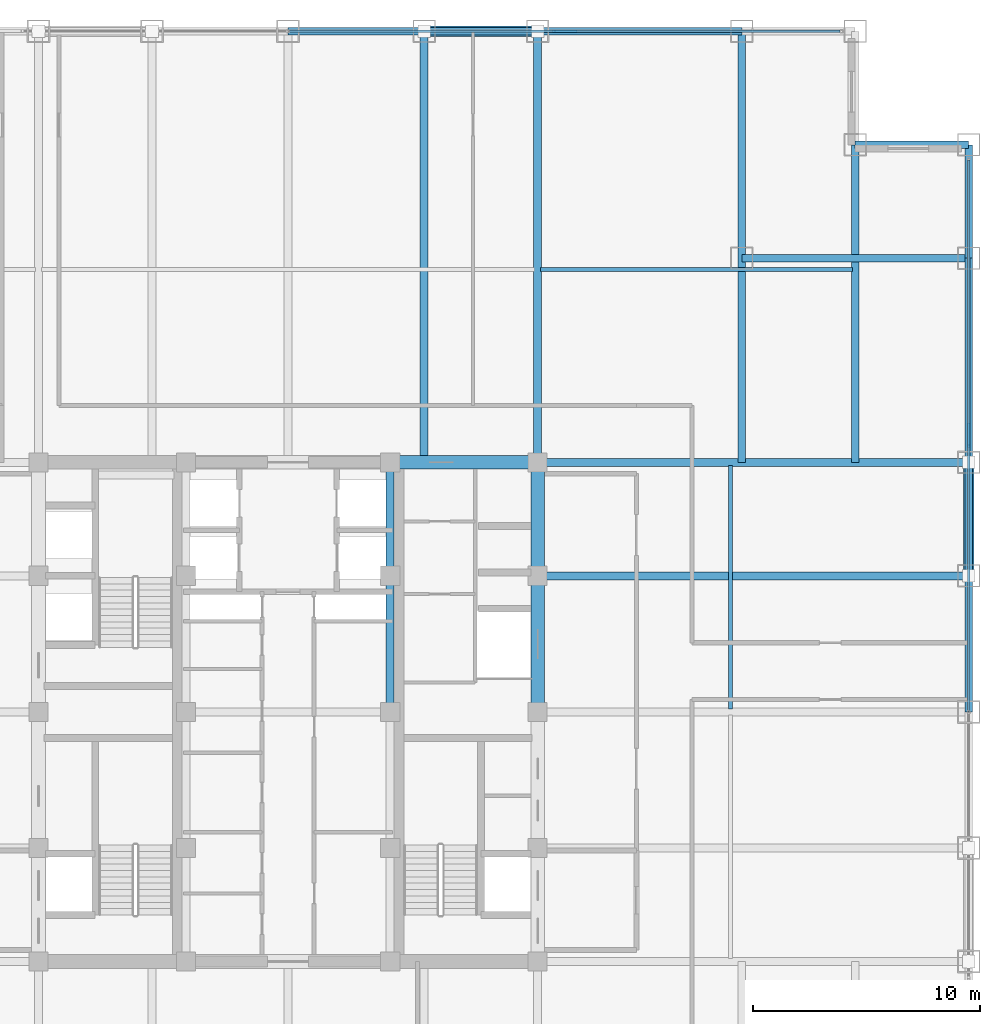
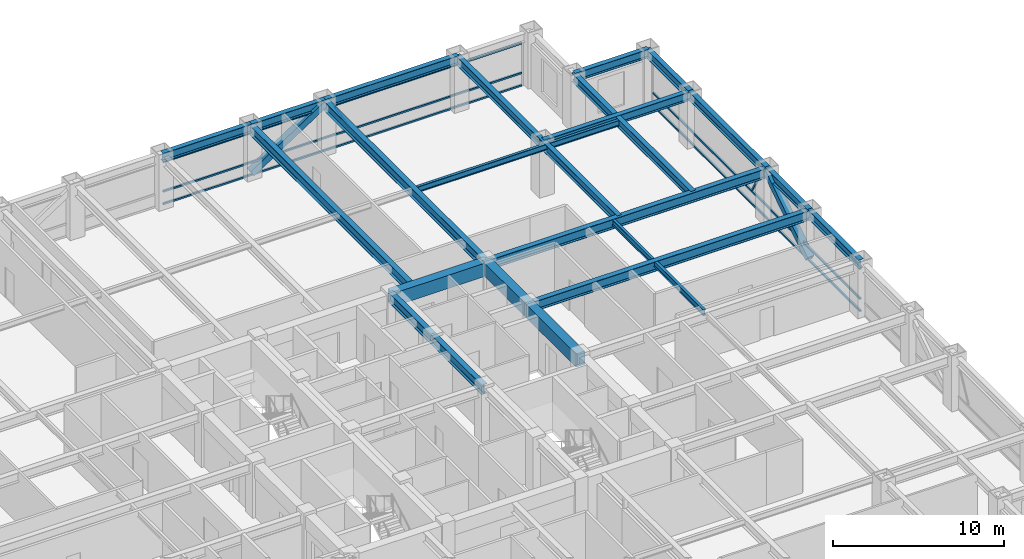
# One storey, part 17 of 24: 22 beams, 10 members, 2 elements without a shape of their own.
"""IFC4 building model written with IfcOpenShell, lengths in metres."""

from ifc_helpers import new_model, si_unit, direction, frame, origin, origin_2d, place, context, subcontext, project, spatial, rectangle, hollow_rectangle, i_section, extrude, source, transform, mapped, material, material_profile, profile_set, type_object, element, aggregate, save


model = new_model("IFC4")

# Units and contexts
model_context = context("Model", 3, precision=1e-05, world=origin(), true_north=direction((0.0, 1.0)))
body_context = subcontext(model_context, "Body", "Model", "MODEL_VIEW")
ifc_project = project(units=[si_unit("LENGTHUNIT", "METRE"), si_unit("AREAUNIT", "SQUARE_METRE"), si_unit("VOLUMEUNIT", "CUBIC_METRE"), si_unit("PLANEANGLEUNIT", "RADIAN"), si_unit("MASSUNIT", "GRAM", prefix="KILO")], contexts=[model_context])

# Site, building, storey
site_placement = place(None, origin())
site = spatial("IfcSite", under=ifc_project, at=site_placement, CompositionType="ELEMENT")
building_placement = place(site_placement, origin())
building = spatial("IfcBuilding", under=site, at=building_placement, Name="Khorayat Bourse Tower", CompositionType="ELEMENT")
storey_placement = place(building_placement, frame((0.0, 0.0, 215.10009765625)))
storey = spatial("IfcBuildingStorey", under=building, at=storey_placement, Name="L50", CompositionType="ELEMENT", Elevation=215.10009765625)

# Beams
ifc_material_1 = material(Name="Steel ASTM A992 Grade 50", Category="steel")
ifc_material_profile_1 = material_profile(ifc_material_1, i_section(OverallWidth=0.35498046875, OverallDepth=0.695068359375, WebThickness=0.015380859375, FlangeThickness=0.02490234375, FilletRadius=0.01806640625, at=origin_2d()), Name="W690X217")
ifc_profile_set_1 = profile_set([ifc_material_profile_1], Name="Steel ASTM A992 Grade 50")
beam_type_1 = type_object("IfcBeamType", Name="BM-GIRD-690", PredefinedType="BEAM", material=ifc_profile_set_1)
shared_shape_1 = source(origin(), body_context, "Body", "SweptSolid", [
    extrude(i_section(OverallWidth=0.35498046875, OverallDepth=0.695068359375, WebThickness=0.015380859375, FlangeThickness=0.02490234375, FilletRadius=0.01806640625, at=origin_2d()), origin(), (0.0, 0.0, 1.0), 5.0),
])
beam_1_placement = place(storey_placement, frame((4.5, 6.0, 3.432373046875), z_axis=(0.0, 1.0, 0.0), x_axis=(-1.0, 0.0, 0.0)))
element("IfcBeam", 1, at=beam_1_placement, inside=storey, type_object=beam_type_1, Name="L50 BM-GIRD-690 BM-L50-CRX-12", PredefinedType="BEAM", context=body_context, shape_type="MappedRepresentation", body=[
    mapped(shared_shape_1, transform((0.0, 0.0, 0.0), scale=1.0)),
])
shared_shape_2 = source(origin(), body_context, "Body", "SweptSolid", [
    extrude(i_section(OverallWidth=0.35498046875, OverallDepth=0.695068359375, WebThickness=0.015380859375, FlangeThickness=0.02490234375, FilletRadius=0.01806640625, at=origin_2d()), origin(), (0.0, 0.0, 1.0), 6.0),
])
beam_2_placement = place(storey_placement, frame((4.5, 0.0, 3.432373046875), z_axis=(0.0, 1.0, 0.0), x_axis=(-1.0, 0.0, 0.0)))
element("IfcBeam", 2, at=beam_2_placement, inside=storey, type_object=beam_type_1, Name="L50 BM-GIRD-690 BM-L50-CRX-11", PredefinedType="BEAM", context=body_context, shape_type="MappedRepresentation", body=[
    mapped(shared_shape_2, transform((0.0, 0.0, 0.0), scale=1.0)),
])
ifc_material_profile_2 = material_profile(ifc_material_1, i_section(OverallWidth=0.324951171875, OverallDepth=0.615966796875, WebThickness=0.013916015625, FlangeThickness=0.021484375, FilletRadius=0.01611328125, at=origin_2d()), Name="W610X174")
ifc_profile_set_2 = profile_set([ifc_material_profile_2], Name="Steel ASTM A992 Grade 50")
beam_type_2 = type_object("IfcBeamType", Name="BM-GIRD-610", PredefinedType="BEAM", material=ifc_profile_set_2)
shared_shape_3 = source(origin(), body_context, "Body", "SweptSolid", [
    extrude(i_section(OverallWidth=0.324951171875, OverallDepth=0.615966796875, WebThickness=0.013916015625, FlangeThickness=0.021484375, FilletRadius=0.01611328125, at=origin_2d()), origin(), (0.0, 0.0, 1.0), 19.0),
])
beam_3_placement = place(storey_placement, frame((20.0, 11.0, 3.471923828125), z_axis=(0.0, 1.0, 0.0), x_axis=(-1.0, 0.0, 0.0)))
element("IfcBeam", 3, at=beam_3_placement, inside=storey, type_object=beam_type_2, Name="L50 BM-GIRD-610 BM-L50-CNRY-087", PredefinedType="BEAM", context=body_context, shape_type="MappedRepresentation", body=[
    mapped(shared_shape_3, transform((0.0, 0.0, 0.0), scale=1.0)),
])
shared_shape_4 = source(origin(), body_context, "Body", "SweptSolid", [
    extrude(i_section(OverallWidth=0.324951171875, OverallDepth=0.615966796875, WebThickness=0.013916015625, FlangeThickness=0.021484375, FilletRadius=0.01611328125, at=origin_2d()), origin(), (0.0, 0.0, 1.0), 10.0),
])
beam_4_placement = place(storey_placement, frame((20.0, 20.0, 3.471923828125), z_axis=(1.0, 0.0, 0.0), x_axis=(0.0, 1.0, 0.0)))
element("IfcBeam", 4, at=beam_4_placement, inside=storey, type_object=beam_type_2, Name="L50 BM-GIRD-610 BM-L50-CNRX-094", PredefinedType="BEAM", context=body_context, shape_type="MappedRepresentation", body=[
    mapped(shared_shape_4, transform((0.0, 0.0, 0.0), scale=1.0)),
])
ifc_material_profile_3 = material_profile(ifc_material_1, i_section(OverallWidth=0.180908203125, OverallDepth=0.4169921875, WebThickness=0.010986328125, FlangeThickness=0.018310546875, FilletRadius=0.011962890625, at=origin_2d()), Name="W410X85")
ifc_profile_set_3 = profile_set([ifc_material_profile_3], Name="Steel ASTM A992 Grade 50")
beam_type_3 = type_object("IfcBeamType", Name="BM-JOIST-410", PredefinedType="JOIST", material=ifc_profile_set_3)
shared_shape_5 = source(origin(), body_context, "Body", "SweptSolid", [
    extrude(i_section(OverallWidth=0.180908203125, OverallDepth=0.4169921875, WebThickness=0.010986328125, FlangeThickness=0.018310546875, FilletRadius=0.011962890625, at=origin_2d()), origin(), (0.0, 0.0, 1.0), 10.740234375),
])
beam_5_placement = place(storey_placement, frame((19.5, 0.1298828125, 3.5712890625), z_axis=(0.0, 1.0, 0.0), x_axis=(-1.0, 0.0, 0.0)))
element("IfcBeam", 5, at=beam_5_placement, inside=storey, type_object=beam_type_3, Name="L50 BM-JOIST-410 BM-L50-JSTY-105", PredefinedType="JOIST", context=body_context, shape_type="MappedRepresentation", body=[
    mapped(shared_shape_5, transform((0.0, 0.0, 0.0), scale=1.0)),
])
ifc_material_profile_4 = material_profile(ifc_material_1, i_section(OverallWidth=0.324951171875, OverallDepth=0.615966796875, WebThickness=0.013916015625, FlangeThickness=0.021484375, FilletRadius=0.01611328125, at=origin_2d()), Name="W610X174")
ifc_profile_set_4 = profile_set([ifc_material_profile_4], Name="Steel ASTM A992 Grade 50")
beam_type_4 = type_object("IfcBeamType", Name="BM-SPAN-610", PredefinedType="SPANDREL", material=ifc_profile_set_4)
shared_shape_6 = source(origin(), body_context, "Body", "SweptSolid", [
    extrude(i_section(OverallWidth=0.324951171875, OverallDepth=0.615966796875, WebThickness=0.013916015625, FlangeThickness=0.021484375, FilletRadius=0.01611328125, at=origin_2d()), origin(), (0.0, 0.0, 1.0), 9.0),
])
for number, where, z_axis, x_axis, name in (
    (6, (30.0, 11.0, 3.471923828125), (0.0, 1.0, 0.0), (-1.0, 0.0, 0.0), "L50 BM-SPAN-610 BM-L50-SPN-040"),
    (7, (11.0, 30.0, 3.471923828125), (1.0, 0.0, 0.0), (0.0, 1.0, 0.0), "L50 BM-SPAN-610 BM-L50-SPN-045"),
):
    element("IfcBeam", number, at=place(storey_placement, frame(where, z_axis=z_axis, x_axis=x_axis)), inside=storey, type_object=beam_type_4, Name=name, PredefinedType="SPANDREL", context=body_context, shape_type="MappedRepresentation", body=[
        mapped(shared_shape_6, transform((0.0, 0.0, 0.0), scale=1.0)),
    ])
shared_shape_7 = source(origin(), body_context, "Body", "SweptSolid", [
    extrude(i_section(OverallWidth=0.324951171875, OverallDepth=0.615966796875, WebThickness=0.013916015625, FlangeThickness=0.021484375, FilletRadius=0.01611328125, at=origin_2d()), origin(), (0.0, 0.0, 1.0), 5.0),
])
for number, where, z_axis, x_axis, name in (
    (8, (30.0, 6.0, 3.471923828125), (0.0, 1.0, 0.0), (-1.0, 0.0, 0.0), "L50 BM-SPAN-610 BM-L50-SPN-039"),
    (9, (30.0, 20.0, 3.471923828125), (0.0, 1.0, 0.0), (-1.0, 0.0, 0.0), "L50 BM-SPAN-610 BM-L50-SPN-041"),
    (10, (25.0, 25.0, 3.471923828125), (1.0, 0.0, 0.0), (0.0, 1.0, 0.0), "L50 BM-SPAN-610 BM-L50-SPN-042"),
    (11, (6.0, 30.0, 3.471923828125), (1.0, 0.0, 0.0), (0.0, 1.0, 0.0), "L50 BM-SPAN-610 BM-L50-SPN-046"),
):
    element("IfcBeam", number, at=place(storey_placement, frame(where, z_axis=z_axis, x_axis=x_axis)), inside=storey, type_object=beam_type_4, Name=name, PredefinedType="SPANDREL", context=body_context, shape_type="MappedRepresentation", body=[
        mapped(shared_shape_7, transform((0.0, 0.0, 0.0), scale=1.0)),
    ])
shared_shape_8 = source(origin(), body_context, "Body", "SweptSolid", [
    extrude(i_section(OverallWidth=0.324951171875, OverallDepth=0.615966796875, WebThickness=0.013916015625, FlangeThickness=0.021484375, FilletRadius=0.01611328125, at=origin_2d()), origin(), (0.0, 0.0, 1.0), 6.0),
])
for number, where, z_axis, x_axis, name in (
    (12, (30.0, 0.0, 3.471923828125), (0.0, 1.0, 0.0), (-1.0, 0.0, 0.0), "L50 BM-SPAN-610 BM-L50-SPN-038"),
    (13, (0.0, 30.0, 3.471923828125), (1.0, 0.0, 0.0), (0.0, 1.0, 0.0), "L50 BM-SPAN-610 BM-L50-SPN-047"),
):
    element("IfcBeam", number, at=place(storey_placement, frame(where, z_axis=z_axis, x_axis=x_axis)), inside=storey, type_object=beam_type_4, Name=name, PredefinedType="SPANDREL", context=body_context, shape_type="MappedRepresentation", body=[
        mapped(shared_shape_8, transform((0.0, 0.0, 0.0), scale=1.0)),
    ])
ifc_material_2 = material(Name="Concrete C60/75", Category="concrete")
ifc_material_profile_5 = material_profile(ifc_material_2, rectangle(XDim=0.60009765625, YDim=0.949951171875, at=origin_2d()), Name="RC 600x950")
ifc_profile_set_5 = profile_set([ifc_material_profile_5], Name="Concrete C60/75")
beam_type_5 = type_object("IfcBeamType", Name="BM-COUP-950", PredefinedType="BEAM", material=ifc_profile_set_5)
shared_shape_9 = source(origin(), body_context, "Body", "SweptSolid", [
    extrude(rectangle(XDim=0.60009765625, YDim=0.949951171875, at=origin_2d()), origin(), (0.0, 0.0, 1.0), 5.0),
])
beam_6_placement = place(storey_placement, frame((11.0, 6.0, 3.304931640625), z_axis=(0.0, 1.0, 0.0), x_axis=(-1.0, 0.0, 0.0)))
element("IfcBeam", 14, at=beam_6_placement, inside=storey, type_object=beam_type_5, Name="L50 BM-COUP-950 BM-L50-CRX-16", PredefinedType="BEAM", context=body_context, shape_type="MappedRepresentation", body=[
    mapped(shared_shape_9, transform((0.0, 0.0, 0.0), scale=1.0)),
])
shared_shape_10 = source(origin(), body_context, "Body", "SweptSolid", [
    extrude(rectangle(XDim=0.60009765625, YDim=0.949951171875, at=origin_2d()), origin(), (0.0, 0.0, 1.0), 6.0),
])
beam_7_placement = place(storey_placement, frame((11.0, 0.0, 3.304931640625), z_axis=(0.0, 1.0, 0.0), x_axis=(-1.0, 0.0, 0.0)))
element("IfcBeam", 15, at=beam_7_placement, inside=storey, type_object=beam_type_5, Name="L50 BM-COUP-950 BM-L50-CRX-15", PredefinedType="BEAM", context=body_context, shape_type="MappedRepresentation", body=[
    mapped(shared_shape_10, transform((0.0, 0.0, 0.0), scale=1.0)),
])
shared_shape_11 = source(origin(), body_context, "Body", "SweptSolid", [
    extrude(rectangle(XDim=0.60009765625, YDim=0.949951171875, at=origin_2d()), origin(), (0.0, 0.0, 1.0), 6.5),
])
beam_8_placement = place(storey_placement, frame((4.5, 11.0, 3.304931640625), z_axis=(1.0, 0.0, 0.0), x_axis=(0.0, 1.0, 0.0)))
element("IfcBeam", 16, at=beam_8_placement, inside=storey, type_object=beam_type_5, Name="L50 BM-COUP-950 BM-L50-CRY-22", PredefinedType="BEAM", context=body_context, shape_type="MappedRepresentation", body=[
    mapped(shared_shape_11, transform((0.0, 0.0, 0.0), scale=1.0)),
])
shared_shape_12 = source(origin(), body_context, "Body", "SweptSolid", [
    extrude(i_section(OverallWidth=0.35498046875, OverallDepth=0.695068359375, WebThickness=0.015380859375, FlangeThickness=0.02490234375, FilletRadius=0.01806640625, at=origin_2d()), origin(), (0.0, 0.0, 1.0), 19.0),
])
for number, where, z_axis, x_axis, name in (
    (17, (6.0, 11.0, 3.432373046875), (0.0, 1.0, 0.0), (-1.0, 0.0, 0.0), "L50 BM-GIRD-690 BM-L50-RADY-070"),
    (18, (11.0, 11.0, 3.432373046875), (0.0, 1.0, 0.0), (-1.0, 0.0, 0.0), "L50 BM-GIRD-690 BM-L50-RADY-072"),
    (19, (11.0, 6.0, 3.432373046875), (1.0, 0.0, 0.0), (0.0, 1.0, 0.0), "L50 BM-GIRD-690 BM-L50-RADX-080"),
    (20, (11.0, 11.0, 3.432373046875), (1.0, 0.0, 0.0), (0.0, 1.0, 0.0), "L50 BM-GIRD-690 BM-L50-RADX-082"),
):
    element("IfcBeam", number, at=place(storey_placement, frame(where, z_axis=z_axis, x_axis=x_axis)), inside=storey, type_object=beam_type_1, Name=name, PredefinedType="BEAM", context=body_context, shape_type="MappedRepresentation", body=[
        mapped(shared_shape_12, transform((0.0, 0.0, 0.0), scale=1.0)),
    ])
shared_shape_13 = source(origin(), body_context, "Body", "SweptSolid", [
    extrude(i_section(OverallWidth=0.324951171875, OverallDepth=0.615966796875, WebThickness=0.013916015625, FlangeThickness=0.021484375, FilletRadius=0.01611328125, at=origin_2d()), origin(), (0.0, 0.0, 1.0), 14.0),
])
beam_9_placement = place(storey_placement, frame((25.0, 11.0, 3.471923828125), z_axis=(0.0, 1.0, 0.0), x_axis=(-1.0, 0.0, 0.0)))
element("IfcBeam", 21, at=beam_9_placement, inside=storey, type_object=beam_type_2, Name="L50 BM-GIRD-610 BM-L50-CNRY-091", PredefinedType="BEAM", context=body_context, shape_type="MappedRepresentation", body=[
    mapped(shared_shape_13, transform((0.0, 0.0, 0.0), scale=1.0)),
])
shared_shape_14 = source(origin(), body_context, "Body", "SweptSolid", [
    extrude(i_section(OverallWidth=0.180908203125, OverallDepth=0.4169921875, WebThickness=0.010986328125, FlangeThickness=0.018310546875, FilletRadius=0.011962890625, at=origin_2d()), origin(), (0.0, 0.0, 1.0), 13.740234375),
])
beam_10_placement = place(storey_placement, frame((11.1298828125, 19.5, 3.5712890625), z_axis=(1.0, 0.0, 0.0), x_axis=(0.0, 1.0, 0.0)))
element("IfcBeam", 22, at=beam_10_placement, inside=storey, type_object=beam_type_3, Name="L50 BM-JOIST-410 BM-L50-JSTX-101", PredefinedType="JOIST", context=body_context, shape_type="MappedRepresentation", body=[
    mapped(shared_shape_14, transform((0.0, 0.0, 0.0), scale=1.0)),
])

# Members
ifc_material_3 = material(Name="Steel EN 10025-4 S460M", Category="steel")
ifc_material_profile_6 = material_profile(ifc_material_3, hollow_rectangle(XDim=0.449951171875, YDim=0.449951171875, WallThickness=0.02490234375, at=origin_2d()), Name="HSS 450x450x25")
ifc_profile_set_6 = profile_set([ifc_material_profile_6], Name="Steel EN 10025-4 S460M")
member_type_1 = type_object("IfcMemberType", Name="MBR-TUBE-450", PredefinedType="BRACE", material=ifc_profile_set_6)
shared_shape_15 = source(origin(), body_context, "Body", "SweptSolid", [
    extrude(hollow_rectangle(XDim=0.449951171875, YDim=0.449951171875, WallThickness=0.02490234375, at=origin_2d()), origin(), (0.0, 0.0, 1.0), 5.979736328125),
])
for number, where, z_axis, x_axis, name in (
    (23, (6.0, 30.0, 0.25), (0.836160261256, 0.0, 0.548485202623), (0.0, 1.0, 0.0), "L50 Perimeter Tube Brace 04"),
    (24, (30.0, 6.0, 0.25), (0.0, 0.836160261256, 0.548485202623), (-1.0, 0.0, 0.0), "L50 Perimeter Tube Brace 08"),
):
    element("IfcMember", number, at=place(storey_placement, frame(where, z_axis=z_axis, x_axis=x_axis)), inside=storey, type_object=member_type_1, Name=name, PredefinedType="BRACE", context=body_context, shape_type="MappedRepresentation", body=[
        mapped(shared_shape_15, transform((0.0, 0.0, 0.0), scale=1.0)),
    ])

# Curtain wall, member
ifc_material_4 = material(Name="Aluminium EN AW-6063 T6", Category="aluminium")
curtain_wall_type = type_object("IfcCurtainWallType", Name="CW-SYS-03", PredefinedType="NOTDEFINED", material=ifc_material_4)
curtain_wall_1_placement = place(storey_placement, origin())
curtain_wall_1 = element("IfcCurtainWall", 25, at=curtain_wall_1_placement, inside=storey, type_object=curtain_wall_type, Name="L50 Curtain Wall CW-L50-N1", PredefinedType="NOTDEFINED")
ifc_material_profile_7 = material_profile(ifc_material_4, hollow_rectangle(XDim=0.1201171875, YDim=0.1201171875, WallThickness=0.0048828125, at=origin_2d()), Name="ALU 120x120x5")
ifc_profile_set_7 = profile_set([ifc_material_profile_7], Name="Aluminium EN AW-6063 T6")
member_type_2 = type_object("IfcMemberType", Name="CWM-DIAG-120", PredefinedType="MULLION", material=ifc_profile_set_7)
shared_shape_16 = source(origin(), body_context, "Body", "SweptSolid", [
    extrude(hollow_rectangle(XDim=0.1201171875, YDim=0.1201171875, WallThickness=0.0048828125, at=origin_2d()), origin(), (0.0, 0.0, 1.0), 2.079345703125),
])
member_1_placement = place(storey_placement, frame((12.67919921875, 30.0, 1.08984375), z_axis=(-0.465760949701, 0.0, 0.884910581773), x_axis=(0.0, -1.0, 0.0)))
member_1 = element("IfcMember", 26, at=member_1_placement, type_object=member_type_2, Name="CW-L50-N1 Faceted Diagonal Mullion 2", PredefinedType="MULLION", context=body_context, shape_type="MappedRepresentation", body=[
    mapped(shared_shape_16, transform((0.0, 0.0, 0.0), scale=1.0)),
])

curtain_wall_2_placement = place(storey_placement, origin())
curtain_wall_2 = element("IfcCurtainWall", 27, at=curtain_wall_2_placement, inside=storey, type_object=curtain_wall_type, Name="L50 Curtain Wall CW-L50-E1", PredefinedType="NOTDEFINED")
member_2_placement = place(storey_placement, frame((30.0, 12.67919921875, 1.08984375), z_axis=(0.0, -0.465760949701, 0.884910581773), x_axis=(1.0, 0.0, 0.0)))
member_2 = element("IfcMember", 28, at=member_2_placement, type_object=member_type_2, Name="CW-L50-E1 Faceted Diagonal Mullion 2", PredefinedType="MULLION", context=body_context, shape_type="MappedRepresentation", body=[
    mapped(shared_shape_16, transform((0.0, 0.0, 0.0), scale=1.0)),
])

# Member
ifc_material_profile_8 = material_profile(ifc_material_4, hollow_rectangle(XDim=0.1201171875, YDim=0.1201171875, WallThickness=0.0048828125, at=origin_2d()), Name="ALU 120x120x5")
ifc_profile_set_8 = profile_set([ifc_material_profile_8], Name="Aluminium EN AW-6063 T6")
member_type_3 = type_object("IfcMemberType", Name="CWT-HORZ-120", PredefinedType="USERDEFINED", material=ifc_profile_set_8)
shared_shape_17 = source(origin(), body_context, "Body", "SweptSolid", [
    extrude(hollow_rectangle(XDim=0.1201171875, YDim=0.1201171875, WallThickness=0.0048828125, at=origin_2d()), origin(), (0.0, 0.0, 1.0), 24.27001953125),
])
member_3_placement = place(storey_placement, frame((0.06005859375, 30.0, 0.059814453125), z_axis=(1.0, 0.0, 0.0), x_axis=(0.0, 1.0, 0.0)))
member_3 = element("IfcMember", 29, at=member_3_placement, type_object=member_type_3, Name="CW-L50-N1 Horizontal Transom 2-1", ObjectType="TRANSOM", PredefinedType="USERDEFINED", context=body_context, shape_type="MappedRepresentation", body=[
    mapped(shared_shape_17, transform((0.0, 0.0, 0.0), scale=1.0)),
])

member_4_placement = place(storey_placement, frame((0.06005859375, 30.0, 0.949951171875), z_axis=(1.0, 0.0, 0.0), x_axis=(0.0, 1.0, 0.0)))
member_4 = element("IfcMember", 30, at=member_4_placement, type_object=member_type_3, Name="CW-L50-N1 Horizontal Transom 2-2", ObjectType="TRANSOM", PredefinedType="USERDEFINED", context=body_context, shape_type="MappedRepresentation", body=[
    mapped(shared_shape_17, transform((0.0, 0.0, 0.0), scale=1.0)),
])

member_5_placement = place(storey_placement, frame((0.06005859375, 30.0, 3.06982421875), z_axis=(1.0, 0.0, 0.0), x_axis=(0.0, 1.0, 0.0)))
member_5 = element("IfcMember", 31, at=member_5_placement, type_object=member_type_3, Name="CW-L50-N1 Horizontal Transom 2-3", ObjectType="TRANSOM", PredefinedType="USERDEFINED", context=body_context, shape_type="MappedRepresentation", body=[
    mapped(shared_shape_17, transform((0.0, 0.0, 0.0), scale=1.0)),
])

aggregate(curtain_wall_1, [member_3, member_4, member_5, member_1])

member_6_placement = place(storey_placement, frame((30.0, 0.06005859375, 0.059814453125), z_axis=(0.0, 1.0, 0.0), x_axis=(-1.0, 0.0, 0.0)))
member_6 = element("IfcMember", 32, at=member_6_placement, type_object=member_type_3, Name="CW-L50-E1 Horizontal Transom 2-1", ObjectType="TRANSOM", PredefinedType="USERDEFINED", context=body_context, shape_type="MappedRepresentation", body=[
    mapped(shared_shape_17, transform((0.0, 0.0, 0.0), scale=1.0)),
])

member_7_placement = place(storey_placement, frame((30.0, 0.06005859375, 0.949951171875), z_axis=(0.0, 1.0, 0.0), x_axis=(-1.0, 0.0, 0.0)))
member_7 = element("IfcMember", 33, at=member_7_placement, type_object=member_type_3, Name="CW-L50-E1 Horizontal Transom 2-2", ObjectType="TRANSOM", PredefinedType="USERDEFINED", context=body_context, shape_type="MappedRepresentation", body=[
    mapped(shared_shape_17, transform((0.0, 0.0, 0.0), scale=1.0)),
])

member_8_placement = place(storey_placement, frame((30.0, 0.06005859375, 3.06982421875), z_axis=(0.0, 1.0, 0.0), x_axis=(-1.0, 0.0, 0.0)))
member_8 = element("IfcMember", 34, at=member_8_placement, type_object=member_type_3, Name="CW-L50-E1 Horizontal Transom 2-3", ObjectType="TRANSOM", PredefinedType="USERDEFINED", context=body_context, shape_type="MappedRepresentation", body=[
    mapped(shared_shape_17, transform((0.0, 0.0, 0.0), scale=1.0)),
])

aggregate(curtain_wall_2, [member_6, member_7, member_8, member_2])

save(model, "model.ifc")
